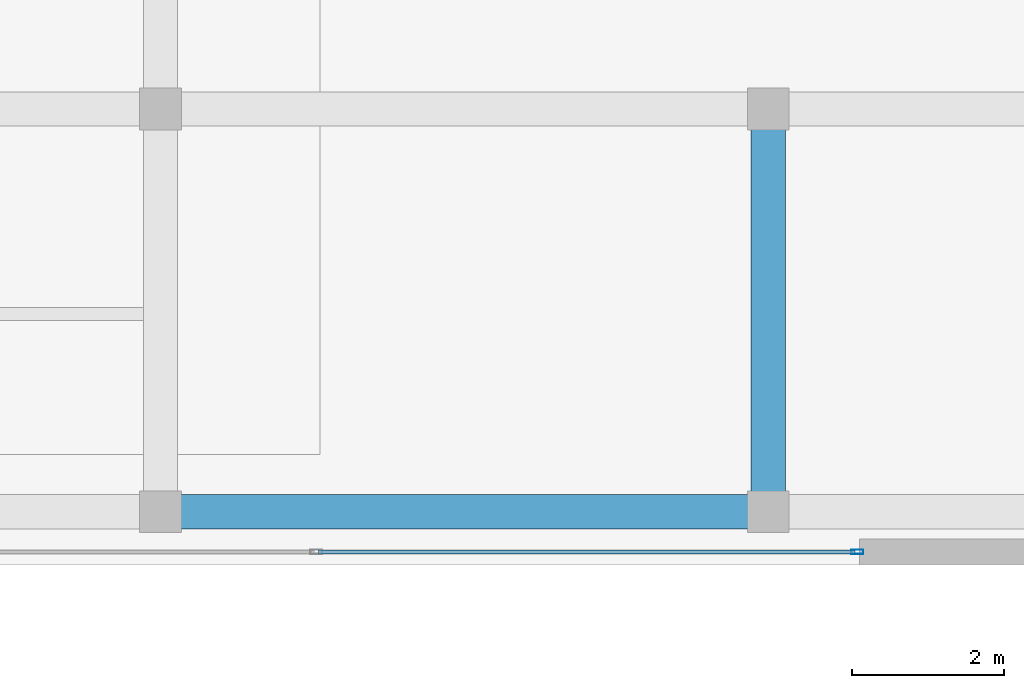
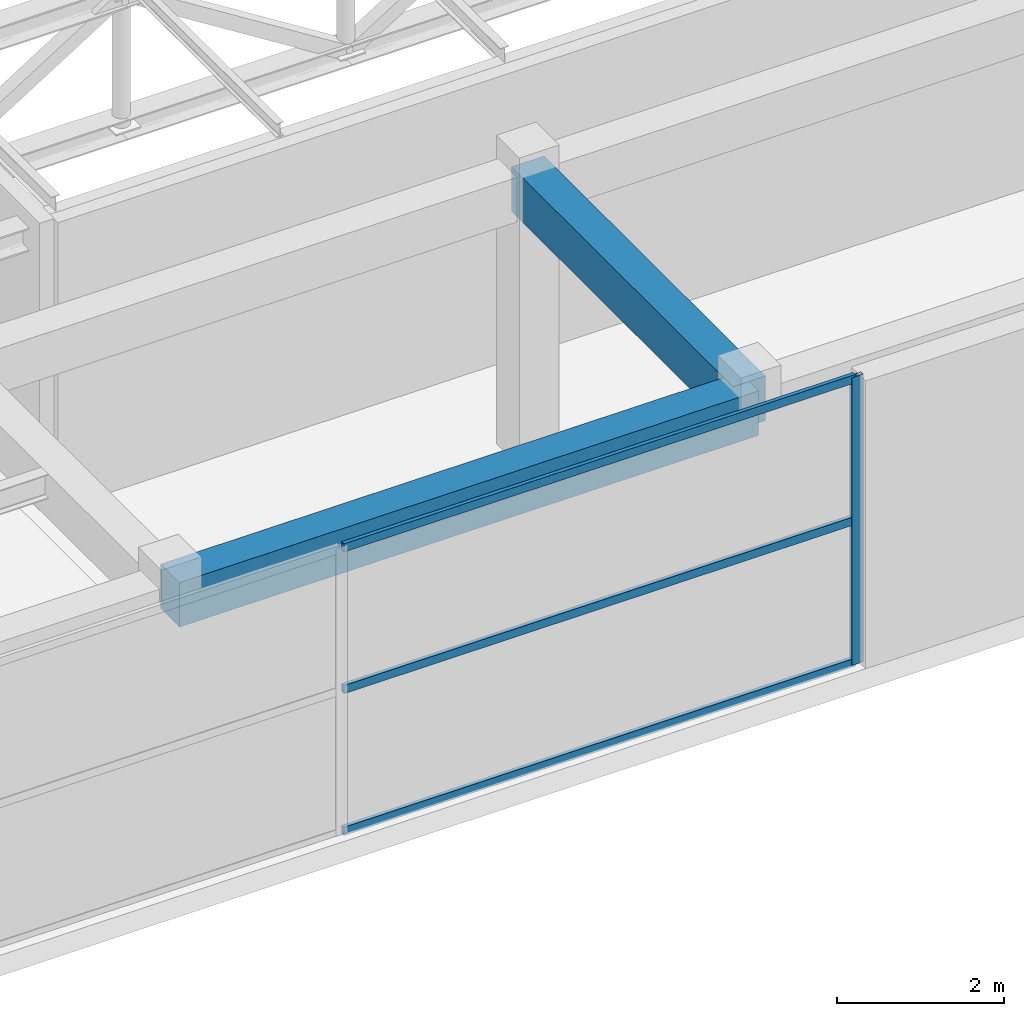
# One storey, part 12 of 33: 4 members, 2 beams, 1 element without a shape of its own.
"""IFC4 building model written with IfcOpenShell, lengths in metres."""

from ifc_helpers import new_model, si_unit, direction, frame, origin, origin_2d, place, context, subcontext, project, spatial, rectangle, hollow_rectangle, extrude, source, transform, mapped, material, layer, layer_set, material_profile, profile_set, type_object, element, aggregate, save


model = new_model("IFC4")

# Units and contexts
model_context = context("Model", 3, precision=1e-05, world=origin(), true_north=direction((0.0, 1.0)))
body_context = subcontext(model_context, "Body", "Model", "MODEL_VIEW")
ifc_project = project(units=[si_unit("LENGTHUNIT", "METRE"), si_unit("AREAUNIT", "SQUARE_METRE"), si_unit("VOLUMEUNIT", "CUBIC_METRE"), si_unit("PLANEANGLEUNIT", "RADIAN"), si_unit("MASSUNIT", "GRAM", prefix="KILO")], contexts=[model_context])

# Site, building, storey
site_placement = place(None, origin())
site = spatial("IfcSite", under=ifc_project, at=site_placement, CompositionType="ELEMENT")
building_placement = place(site_placement, origin())
building = spatial("IfcBuilding", under=site, at=building_placement, Name="Khoralis Quay Care Tower", CompositionType="ELEMENT")
storey_placement = place(building_placement, frame((0.0, 0.0, 18.0)))
storey = spatial("IfcBuildingStorey", under=building, at=storey_placement, Name="L04", CompositionType="ELEMENT", Elevation=18.0)

# Beams
ifc_material_1 = material(Name="Concrete C40/50", Category="concrete")
ifc_material_profile_1 = material_profile(ifc_material_1, rectangle(XDim=0.449951171875, YDim=0.64990234375, at=origin_2d()), Name="Concrete C40/50")
ifc_profile_set_1 = profile_set([ifc_material_profile_1], Name="Concrete C40/50")
beam_type = type_object("IfcBeamType", Name="BM-RC450X650", PredefinedType="BEAM", material=ifc_profile_set_1)
shared_shape_1 = source(origin(), body_context, "Body", "SweptSolid", [
    extrude(rectangle(XDim=0.449951171875, YDim=0.64990234375, at=origin_2d()), origin(), (0.0, 0.0, 1.0), 8.0),
])
beam_1_placement = place(storey_placement, frame((84.0, 6.699951171875, 3.864990234375), z_axis=(1.0, 0.0, 0.0), x_axis=(0.0, 1.0, 0.0)))
element("IfcBeam", 1, at=beam_1_placement, inside=storey, type_object=beam_type, Name="BM-SCX-L04-03", PredefinedType="BEAM", context=body_context, shape_type="MappedRepresentation", body=[
    mapped(shared_shape_1, transform((0.0, 0.0, 0.0), scale=1.0)),
])
shared_shape_2 = source(origin(), body_context, "Body", "SweptSolid", [
    extrude(rectangle(XDim=0.449951171875, YDim=0.64990234375, at=origin_2d()), origin(), (0.0, 0.0, 1.0), 5.300048828125),
])
beam_2_placement = place(storey_placement, frame((92.0, 6.699951171875, 3.864990234375), z_axis=(0.0, 1.0, 0.0), x_axis=(-1.0, 0.0, 0.0)))
element("IfcBeam", 2, at=beam_2_placement, inside=storey, type_object=beam_type, Name="BM-SCY-L04-42", PredefinedType="BEAM", context=body_context, shape_type="MappedRepresentation", body=[
    mapped(shared_shape_2, transform((0.0, 0.0, 0.0), scale=1.0)),
])

# Curtain wall, members
ifc_material_2 = material(Name="Pale anodised aluminium", Category="aluminium")
ifc_layer = layer(ifc_material_2, 0.14990234375)
ifc_layer_set = layer_set([ifc_layer], Name="Pale anodised aluminium")
curtain_wall_type = type_object("IfcCurtainWallType", Name="CW-SYS-SCHOOL", PredefinedType="NOTDEFINED", material=ifc_layer_set)
curtain_wall_placement = place(storey_placement, origin())
curtain_wall = element("IfcCurtainWall", 3, at=curtain_wall_placement, inside=storey, type_object=curtain_wall_type, Name="L04 Unitised Curtain Wall CW-SCH-L04-E0", PredefinedType="NOTDEFINED")
ifc_material_profile_2 = material_profile(ifc_material_2, hollow_rectangle(XDim=0.06005859375, YDim=0.159912109375, WallThickness=0.00390625, at=origin_2d()), Name="Pale anodised aluminium")
ifc_profile_set_2 = profile_set([ifc_material_profile_2], Name="Pale anodised aluminium")
member_type_1 = type_object("IfcMemberType", Name="CW-MUL-160", PredefinedType="MULLION", material=ifc_profile_set_2)
shared_shape_3 = source(origin(), body_context, "Body", "SweptSolid", [
    extrude(hollow_rectangle(XDim=0.06005859375, YDim=0.159912109375, WallThickness=0.00390625, at=origin_2d()), origin(), (0.0, 0.0, 1.0), 4.199951171875),
])
member_1_placement = place(storey_placement, frame((93.172119140625, 6.169921875, 0.0), z_axis=(0.0, 0.0, 1.0), x_axis=(0.0, 1.0, 0.0)))
member_1 = element("IfcMember", 4, at=member_1_placement, type_object=member_type_1, Name="CW6 mullion 3", PredefinedType="MULLION", context=body_context, shape_type="MappedRepresentation", body=[
    mapped(shared_shape_3, transform((0.0, 0.0, 0.0), scale=1.0)),
])
ifc_material_profile_3 = material_profile(ifc_material_2, hollow_rectangle(XDim=0.054931640625, YDim=0.1201171875, WallThickness=0.00390625, at=origin_2d()), Name="Pale anodised aluminium")
ifc_profile_set_3 = profile_set([ifc_material_profile_3], Name="Pale anodised aluminium")
member_type_2 = type_object("IfcMemberType", Name="CW-TRN-120", PredefinedType="USERDEFINED", material=ifc_profile_set_3)
shared_shape_4 = source(origin(), body_context, "Body", "SweptSolid", [
    extrude(hollow_rectangle(XDim=0.054931640625, YDim=0.1201171875, WallThickness=0.00390625, at=origin_2d()), origin(), (0.0, 0.0, 1.0), 7.06201171875),
])
member_2_placement = place(storey_placement, frame((86.080078125, 6.169921875, 0.030029296875), z_axis=(1.0, 0.0, 0.0), x_axis=(0.0, 1.0, 0.0)))
member_2 = element("IfcMember", 5, at=member_2_placement, type_object=member_type_2, Name="CW6 transom 2.1", ObjectType="TRANSOM", PredefinedType="USERDEFINED", context=body_context, shape_type="MappedRepresentation", body=[
    mapped(shared_shape_4, transform((0.0, 0.0, 0.0), scale=1.0)),
])
member_3_placement = place(storey_placement, frame((86.080078125, 6.169921875, 2.10009765625), z_axis=(1.0, 0.0, 0.0), x_axis=(0.0, 1.0, 0.0)))
member_3 = element("IfcMember", 6, at=member_3_placement, type_object=member_type_2, Name="CW6 transom 2.2", ObjectType="TRANSOM", PredefinedType="USERDEFINED", context=body_context, shape_type="MappedRepresentation", body=[
    mapped(shared_shape_4, transform((0.0, 0.0, 0.0), scale=1.0)),
])
member_4_placement = place(storey_placement, frame((86.080078125, 6.169921875, 4.169921875), z_axis=(1.0, 0.0, 0.0), x_axis=(0.0, 1.0, 0.0)))
member_4 = element("IfcMember", 7, at=member_4_placement, type_object=member_type_2, Name="CW6 transom 2.3", ObjectType="TRANSOM", PredefinedType="USERDEFINED", context=body_context, shape_type="MappedRepresentation", body=[
    mapped(shared_shape_4, transform((0.0, 0.0, 0.0), scale=1.0)),
])
aggregate(curtain_wall, [member_1, member_2, member_3, member_4])

save(model, "model.ifc")
